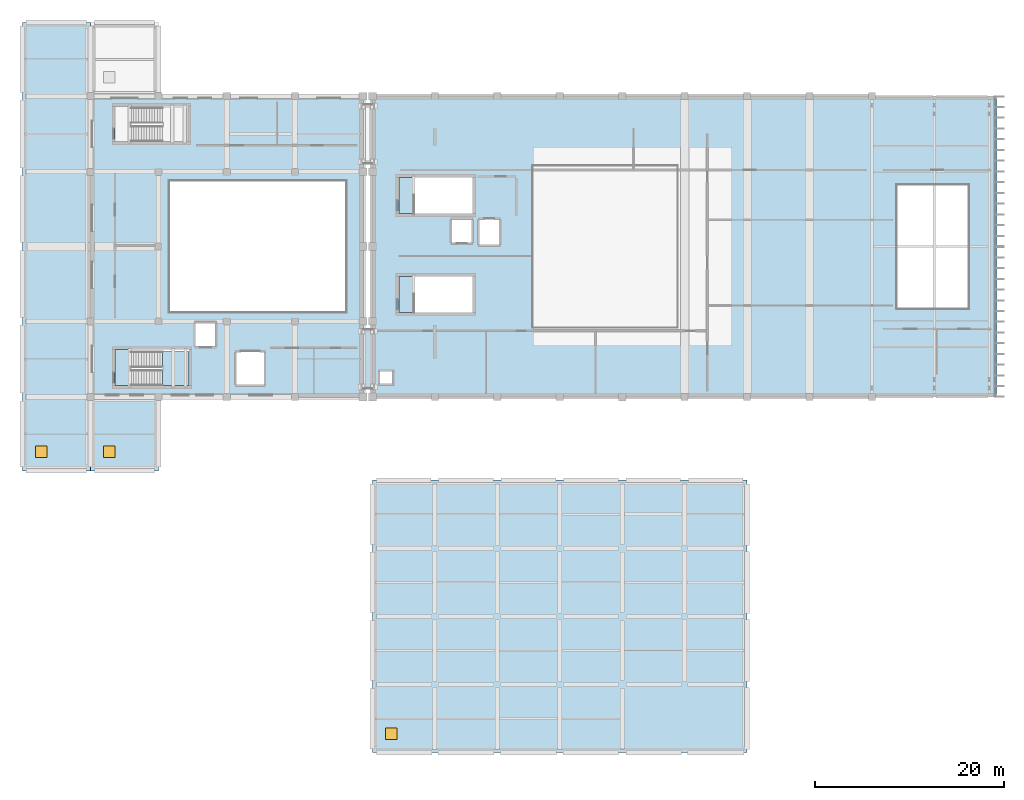
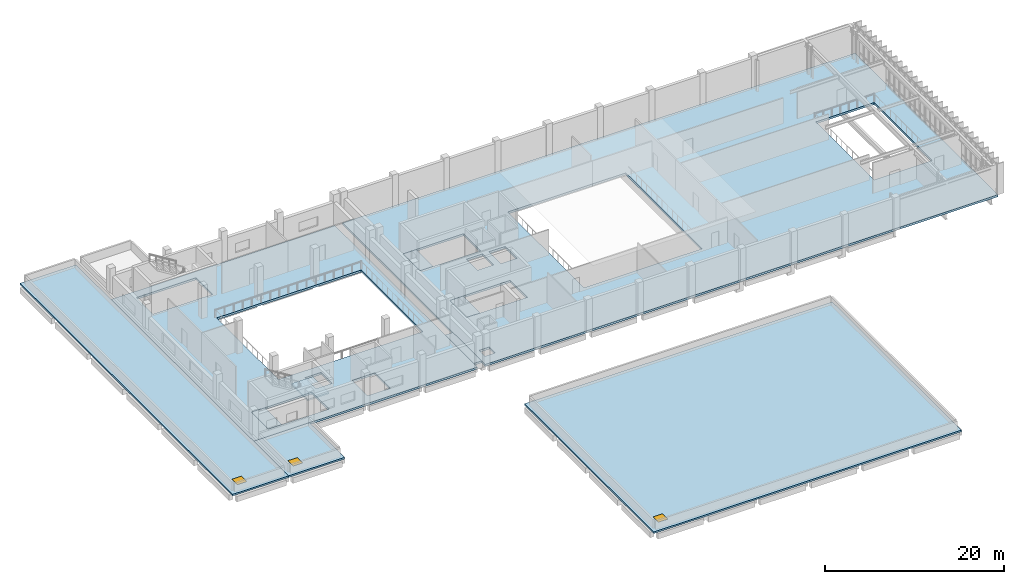
# One storey, part 9 of 23: 10 slabs, 3 windows, 3 openings, 1 element without a shape of its own.
"""IFC4 building model written with IfcOpenShell, lengths in metres."""

import ifcopenshell
import ifcopenshell.guid

model = None  # the IFC model being written
_history = None  # IfcOwnerHistory: only IFC2X3 demands one
_inside = {}  # id of a spatial element -> (the spatial element, [elements in it])
_under = {}  # id of a project, library or spatial element -> (it, [spatial elements below it])
_declared = {}  # id of a project -> (the project, [libraries it declares])
_typed = {}  # id of a type object -> (the type object, [elements of that type])
_made_of = {}  # id of a material, layer set ... -> (it, [elements and type objects made of it])


def new_model(schema):
    """Start an empty IFC model of exactly this schema.

    Asked for "IFC4X3", IfcOpenShell would pick the latest addendum, in which some entities
    have other attributes; the version numbers below select the first issue.
    IFC2X3 requires an IfcOwnerHistory on every rooted entity: one is made here for all.
    """
    global model, _history
    if schema == "IFC4X3":
        model = ifcopenshell.file(schema_version=(4, 3, 0, 0))
    else:
        model = ifcopenshell.file(schema=schema)
    _inside.clear()
    _under.clear()
    _declared.clear()
    _typed.clear()
    _made_of.clear()
    _history = None
    if model.schema == "IFC2X3":
        org = make("IfcOrganization", Name="unknown")
        user = make(
            "IfcPersonAndOrganization",
            ThePerson=make("IfcPerson", FamilyName="unknown"),
            TheOrganization=org,
        )
        app = make(
            "IfcApplication",
            ApplicationDeveloper=org,
            Version="unknown",
            ApplicationFullName="unknown",
            ApplicationIdentifier="unknown",
        )
        _history = make(
            "IfcOwnerHistory",
            OwningUser=user,
            OwningApplication=app,
            ChangeAction="ADDED",
            CreationDate=0,
        )
    return model


def make(cls, **values):
    """One entity of the class cls with the attributes given. An attribute that is None is left unset."""
    return model.create_entity(
        cls, **{name: value for name, value in values.items() if value is not None}
    )


def rooted(cls, **values):
    """An entity with a GlobalId (a new one), such as an element, a storey or a relation."""
    return make(cls, GlobalId=ifcopenshell.guid.new(), OwnerHistory=_history, **values)


def si_unit(unit_type, name, prefix=None):
    """IfcSIUnit, for example si_unit("LENGTHUNIT", "METRE", prefix="MILLI")."""
    return make("IfcSIUnit", UnitType=unit_type, Prefix=prefix, Name=name)


def assignment(units):
    """IfcUnitAssignment: the units of a project."""
    return None if units is None else make("IfcUnitAssignment", Units=units)


def point(xyz):
    """IfcCartesianPoint."""
    return None if xyz is None else make("IfcCartesianPoint", Coordinates=xyz)


def direction(xyz):
    """IfcDirection."""
    return None if xyz is None else make("IfcDirection", DirectionRatios=xyz)


def frame(location, z_axis=None, x_axis=None):
    """IfcAxis2Placement3D, a coordinate frame: its origin and axes. An axis left out is left unset."""
    return make(
        "IfcAxis2Placement3D",
        Location=point(location),
        Axis=direction(z_axis),
        RefDirection=direction(x_axis),
    )


def frame_2d(location, x_axis=None):
    """IfcAxis2Placement2D, a coordinate frame in the plane: its origin and x axis."""
    return make(
        "IfcAxis2Placement2D", Location=point(location), RefDirection=direction(x_axis)
    )


def origin():
    """The frame at (0, 0, 0) with its axes left unset."""
    return frame((0.0, 0.0, 0.0))


def origin_2d():
    """The frame at (0, 0) in the plane with its x axis left unset."""
    return frame_2d((0.0, 0.0))


def place(relative_to, where):
    """IfcLocalPlacement: puts the frame where relative to a parent placement (None: the world)."""
    return make(
        "IfcLocalPlacement", PlacementRelTo=relative_to, RelativePlacement=where
    )


def context(
    kind, dimensions, precision=None, world=None, true_north=None, identifier=None
):
    """IfcGeometricRepresentationContext, for example the 3D "Model" context."""
    return make(
        "IfcGeometricRepresentationContext",
        ContextIdentifier=identifier,
        ContextType=kind,
        CoordinateSpaceDimension=dimensions,
        Precision=precision,
        WorldCoordinateSystem=world,
        TrueNorth=true_north,
    )


def subcontext(parent, identifier, kind, view, scale=None):
    """IfcGeometricRepresentationSubContext, for example "Body" below "Model"."""
    return make(
        "IfcGeometricRepresentationSubContext",
        ContextIdentifier=identifier,
        ContextType=kind,
        ParentContext=parent,
        TargetScale=scale,
        TargetView=view,
    )


def project(units=None, contexts=None):
    """IfcProject with its units and contexts."""
    return rooted(
        "IfcProject",
        Name="project",
        RepresentationContexts=contexts,
        UnitsInContext=assignment(units),
    )


def spatial(cls, under=None, at=None, **own):
    """A site, building, storey or space (cls), placed at a placement, below another one or the project."""
    s = rooted(cls, ObjectPlacement=at, **own)
    if under is not None:
        _under.setdefault(under.id(), (under, []))[1].append(s)
    return s


def polyline(points):
    """IfcPolyline through the points."""
    return make("IfcPolyline", Points=[point(p) for p in points])


def profile(cls, at=None, kind="AREA", **sizes):
    """A parametric profile (cls). Its sizes go by their IFC names, for example OverallWidth=200.0."""
    return make(cls, ProfileType=kind, Position=at, **sizes)


def rectangle(**sizes):
    """IfcRectangleProfileDef."""
    return profile("IfcRectangleProfileDef", **sizes)


def outline(outer, holes=None, kind="AREA"):
    """IfcArbitraryClosedProfileDef: a profile drawn as a closed curve; with holes, ...WithVoids."""
    if holes is None:
        return make("IfcArbitraryClosedProfileDef", ProfileType=kind, OuterCurve=outer)
    return make(
        "IfcArbitraryProfileDefWithVoids",
        ProfileType=kind,
        OuterCurve=outer,
        InnerCurves=holes,
    )


def extrude(swept, where, along, depth):
    """IfcExtrudedAreaSolid: the profile swept, set in the frame where, extruded along a direction by depth."""
    return make(
        "IfcExtrudedAreaSolid",
        SweptArea=swept,
        Position=where,
        ExtrudedDirection=direction(along),
        Depth=depth,
    )


def shape(context_of_items, identifier, shape_type, items):
    """IfcShapeRepresentation: the items that make up one representation, for example the "Body"."""
    return make(
        "IfcShapeRepresentation",
        ContextOfItems=context_of_items,
        RepresentationIdentifier=identifier,
        RepresentationType=shape_type,
        Items=items,
    )


def material(Name=None, Category=None):
    """IfcMaterial."""
    return make("IfcMaterial", Name=Name, Category=Category)


def layer(
    of_material, thickness, ventilated=None, Name=None, Category=None, Priority=None
):
    """IfcMaterialLayer: one layer of a wall or slab, of a material (None: an air gap)."""
    return make(
        "IfcMaterialLayer",
        Material=of_material,
        LayerThickness=thickness,
        IsVentilated=ventilated,
        Name=Name,
        Category=Category,
        Priority=Priority,
    )


def layer_set(layers, Name=None):
    """IfcMaterialLayerSet."""
    return make("IfcMaterialLayerSet", MaterialLayers=layers, LayerSetName=Name)


def made_of(thing, what):
    """Note that an element or type object is made of a material, layer set ...; save() writes the relation."""
    if what is not None:
        _made_of.setdefault(what.id(), (what, []))[1].append(thing)
    return thing


def type_object(cls, material=None, **own):
    """A type object (cls), such as IfcWallType, which elements share."""
    return made_of(rooted(cls, **own), material)


def element(
    cls,
    number,
    at=None,
    inside=None,
    cuts=None,
    type_object=None,
    material=None,
    context=None,
    identifier="Body",
    shape_type=None,
    held_by="IfcProductDefinitionShape",
    body=None,
    shapes=None,
    **own,
):
    """One element of the class cls, such as IfcWall. Its Tag is "e" and its number.

    at: its placement. inside: the storey or other place that contains it. cuts: it is an
    opening in that element (IfcRelVoidsElement). A single representation is given by context,
    identifier, shape_type and body (its items); several are given by shapes. held_by: the class
    of the entity that holds the representations. save() writes the other relations.
    """
    e = rooted(cls, Tag="e%d" % number, ObjectPlacement=at, **own)
    if body is not None:
        shapes = [shape(context, identifier, shape_type, body)]
    if shapes is not None:
        e.Representation = make(held_by, Representations=shapes)
    if inside is not None:
        _inside.setdefault(inside.id(), (inside, []))[1].append(e)
    if cuts is not None:
        rooted(
            "IfcRelVoidsElement", RelatingBuildingElement=cuts, RelatedOpeningElement=e
        )
    if type_object is not None:
        _typed.setdefault(type_object.id(), (type_object, []))[1].append(e)
    return made_of(e, material)


def fill(opening, filler):
    """IfcRelFillsElement: the door or window that sits in an opening."""
    return rooted(
        "IfcRelFillsElement",
        RelatingOpeningElement=opening,
        RelatedBuildingElement=filler,
    )


def aggregate(whole, parts):
    """IfcRelAggregates: a whole, such as a stair, and the parts it consists of."""
    return rooted("IfcRelAggregates", RelatingObject=whole, RelatedObjects=parts)


def save(model, path):
    """Write the relations noted so far, then the file.

    IfcRelAggregates (storeys below a building ...), IfcRelContainedInSpatialStructure (elements
    in a storey), IfcRelDefinesByType, IfcRelAssociatesMaterial and IfcRelDeclares: one each for
    every whole, place, type object, material and project.
    """
    for whole, parts in _under.values():
        aggregate(whole, parts)
    for where, things in _inside.values():
        rooted(
            "IfcRelContainedInSpatialStructure",
            RelatedElements=things,
            RelatingStructure=where,
        )
    for kind, things in _typed.values():
        rooted("IfcRelDefinesByType", RelatedObjects=things, RelatingType=kind)
    for what, things in _made_of.values():
        rooted("IfcRelAssociatesMaterial", RelatedObjects=things, RelatingMaterial=what)
    for by, libraries in _declared.values():
        rooted("IfcRelDeclares", RelatingContext=by, RelatedDefinitions=libraries)
    model.write(path)


model = new_model("IFC4")

# Units and contexts
model_context = context("Model", 3, precision=1e-05, world=origin(), true_north=direction((0.0, 1.0)))
body_context = subcontext(model_context, "Body", "Model", "MODEL_VIEW")
ifc_project = project(units=[si_unit("LENGTHUNIT", "METRE"), si_unit("AREAUNIT", "SQUARE_METRE"), si_unit("VOLUMEUNIT", "CUBIC_METRE"), si_unit("PLANEANGLEUNIT", "RADIAN"), si_unit("MASSUNIT", "GRAM", prefix="KILO")], contexts=[model_context])

# Site, building, storey
site_placement = place(None, origin())
site = spatial("IfcSite", under=ifc_project, at=site_placement, CompositionType="ELEMENT")
building_placement = place(site_placement, origin())
building = spatial("IfcBuilding", under=site, at=building_placement, Name="Kelarvand Opera House", CompositionType="ELEMENT")
storey_placement = place(building_placement, frame((0.0, 0.0, 19.5)))
storey = spatial("IfcBuildingStorey", under=building, at=storey_placement, Name="L04", CompositionType="ELEMENT", Elevation=19.5)

# Slabs
ifc_material_1 = material(Name="Concrete C35/45", Category="concrete")
ifc_layer_1 = layer(ifc_material_1, 0.219970703125, Name="Concrete C35/45", Category="concrete")
ifc_layer_set_1 = layer_set([ifc_layer_1], Name="Concrete C35/45")
slab_type_1 = type_object("IfcSlabType", Name="Core Stair Entry Landing Slab 220", PredefinedType="LANDING", material=ifc_layer_set_1)
slab_1_placement = place(storey_placement, frame((0.0, 0.0, -0.219970703125)))
element("IfcSlab", 1, at=slab_1_placement, inside=storey, type_object=slab_type_1, Name="C1 Stair Entry Landing L04", PredefinedType="LANDING", context=body_context, shape_type="SweptSolid", body=[
    extrude(outline(polyline([(91.800048828125, 66.0), (93.52001953125, 66.0), (93.52001953125, 69.800048828125), (91.800048828125, 69.800048828125), (91.800048828125, 66.0)])), origin(), (0.0, 0.0, 1.0), 0.219970703125),
])
slab_2_placement = place(storey_placement, frame((0.0, 0.0, -0.219970703125)))
element("IfcSlab", 2, at=slab_2_placement, inside=storey, type_object=slab_type_1, Name="C2 Stair Entry Landing L04", PredefinedType="LANDING", context=body_context, shape_type="SweptSolid", body=[
    extrude(outline(polyline([(61.800048828125, 47.800048828125), (63.52001953125, 47.800048828125), (63.52001953125, 51.60009765625), (61.800048828125, 51.60009765625), (61.800048828125, 47.800048828125)])), origin(), (0.0, 0.0, 1.0), 0.219970703125),
])
slab_3_placement = place(storey_placement, frame((0.0, 0.0, -0.219970703125)))
element("IfcSlab", 3, at=slab_3_placement, inside=storey, type_object=slab_type_1, Name="C4 Stair Entry Landing L04", PredefinedType="LANDING", context=body_context, shape_type="SweptSolid", body=[
    extrude(outline(polyline([(91.800048828125, 55.550048828125), (93.52001953125, 55.550048828125), (93.52001953125, 59.35009765625), (91.800048828125, 59.35009765625), (91.800048828125, 55.550048828125)])), origin(), (0.0, 0.0, 1.0), 0.219970703125),
])

# Slab, opening, window
ifc_layer_2 = layer(ifc_material_1, 0.219970703125, Name="Concrete C35/45", Category="concrete")
ifc_layer_set_2 = layer_set([ifc_layer_2], Name="Concrete C35/45")
slab_type_2 = type_object("IfcSlabType", Name="Flat Structural Roof Slab 220", PredefinedType="ROOF", material=ifc_layer_set_2)
slab_4_placement = place(storey_placement, frame((0.0, 0.0, -0.219970703125)))
slab_4 = element("IfcSlab", 4, at=slab_4_placement, inside=storey, type_object=slab_type_2, Name="V2 Flat Roof Slab L04 1", PredefinedType="ROOF", context=body_context, shape_type="SweptSolid", body=[
    extrude(outline(polyline([(52.0, 38.800048828125), (59.199951171875, 38.800048828125), (59.199951171875, 86.199951171875), (52.0, 86.199951171875), (52.0, 38.800048828125)])), origin(), (0.0, 0.0, 1.0), 0.219970703125),
])
opening_1_placement = place(slab_4_placement, frame((54.0, 40.800048828125, 0.0)))
opening_1 = element("IfcOpeningElement", 5, at=opening_1_placement, cuts=slab_4, Name="Opening RH-01", PredefinedType="OPENING", context=body_context, shape_type="SweptSolid", body=[
    extrude(rectangle(XDim=1.199951171875, YDim=1.199951171875, at=origin_2d()), frame((0.0, 0.0, -0.010009765625)), (0.0, 0.0, 1.0), 0.239990234375),
])
ifc_material_2 = material(Name="Insulated aluminium roof access hatch", Category="aluminium")
window_type = type_object("IfcWindowType", Name="Insulated Flat-Roof Maintenance Access Hatch 1200x1200", PartitioningType="SINGLE_PANEL", PredefinedType="SKYLIGHT", material=ifc_material_2)
window_1_placement = place(opening_1_placement, frame((0.0, 0.0, 0.169921875)))
window_1 = element("IfcWindow", 6, at=window_1_placement, inside=storey, type_object=window_type, Name="V2 Maintenance Roof Hatch 4", OverallHeight=1.199951171875, OverallWidth=1.199951171875, PartitioningType="SINGLE_PANEL", PredefinedType="SKYLIGHT", context=body_context, shape_type="SweptSolid", body=[
    extrude(rectangle(XDim=1.199951171875, YDim=1.199951171875, at=origin_2d()), origin(), (0.0, 0.0, 1.0), 0.050048828125),
])
fill(opening_1, window_1)

slab_5_placement = place(storey_placement, frame((0.0, 0.0, -0.219970703125)))
slab_5 = element("IfcSlab", 7, at=slab_5_placement, inside=storey, type_object=slab_type_2, Name="V2 Flat Roof Slab L04 2", PredefinedType="ROOF", context=body_context, shape_type="SweptSolid", body=[
    extrude(outline(polyline([(59.199951171875, 38.800048828125), (66.39990234375, 38.800048828125), (66.39990234375, 46.60009765625), (59.199951171875, 46.60009765625), (59.199951171875, 38.800048828125)])), origin(), (0.0, 0.0, 1.0), 0.219970703125),
])
opening_2_placement = place(slab_5_placement, frame((61.199951171875, 40.800048828125, 0.0)))
opening_2 = element("IfcOpeningElement", 8, at=opening_2_placement, cuts=slab_5, Name="Opening RH-01", PredefinedType="OPENING", context=body_context, shape_type="SweptSolid", body=[
    extrude(rectangle(XDim=1.199951171875, YDim=1.199951171875, at=origin_2d()), frame((0.0, 0.0, -0.010009765625)), (0.0, 0.0, 1.0), 0.239990234375),
])
window_2_placement = place(opening_2_placement, frame((0.0, 0.0, 0.169921875)))
window_2 = element("IfcWindow", 9, at=window_2_placement, inside=storey, type_object=window_type, Name="V2 Maintenance Roof Hatch 5", OverallHeight=1.199951171875, OverallWidth=1.199951171875, PartitioningType="SINGLE_PANEL", PredefinedType="SKYLIGHT", context=body_context, shape_type="SweptSolid", body=[
    extrude(rectangle(XDim=1.199951171875, YDim=1.199951171875, at=origin_2d()), origin(), (0.0, 0.0, 1.0), 0.050048828125),
])
fill(opening_2, window_2)

slab_6_placement = place(storey_placement, frame((0.0, 0.0, -0.219970703125)))
slab_6 = element("IfcSlab", 10, at=slab_6_placement, inside=storey, type_object=slab_type_2, Name="V6 Flat Roof Slab L04 1", PredefinedType="ROOF", context=body_context, shape_type="SweptSolid", body=[
    extrude(outline(polyline([(89.0, 9.0), (128.60009765625, 9.0), (128.60009765625, 37.800048828125), (89.0, 37.800048828125), (89.0, 9.0)])), origin(), (0.0, 0.0, 1.0), 0.219970703125),
])
opening_3_placement = place(slab_6_placement, frame((91.0, 11.0, 0.0)))
opening_3 = element("IfcOpeningElement", 11, at=opening_3_placement, cuts=slab_6, Name="Opening RH-01", PredefinedType="OPENING", context=body_context, shape_type="SweptSolid", body=[
    extrude(rectangle(XDim=1.199951171875, YDim=1.199951171875, at=origin_2d()), frame((0.0, 0.0, -0.010009765625)), (0.0, 0.0, 1.0), 0.239990234375),
])
window_3_placement = place(opening_3_placement, frame((0.0, 0.0, 0.169921875)))
window_3 = element("IfcWindow", 12, at=window_3_placement, inside=storey, type_object=window_type, Name="V6 Maintenance Roof Hatch 15", OverallHeight=1.199951171875, OverallWidth=1.199951171875, PartitioningType="SINGLE_PANEL", PredefinedType="SKYLIGHT", context=body_context, shape_type="SweptSolid", body=[
    extrude(rectangle(XDim=1.199951171875, YDim=1.199951171875, at=origin_2d()), origin(), (0.0, 0.0, 1.0), 0.050048828125),
])
fill(opening_3, window_3)

# Slabs
ifc_layer_3 = layer(ifc_material_1, 0.280029296875, Name="Concrete C35/45", Category="concrete")
ifc_layer_set_3 = layer_set([ifc_layer_3], Name="Concrete C35/45")
slab_type_3 = type_object("IfcSlabType", Name="Gallery Floor Slab 280", PredefinedType="FLOOR", material=ifc_layer_set_3)
slab_7_placement = place(storey_placement, frame((0.0, 0.0, -0.280029296875)))
element("IfcSlab", 13, at=slab_7_placement, inside=storey, type_object=slab_type_3, Name="V1 L04 Structural Slab 7", PredefinedType="FLOOR", context=body_context, shape_type="SweptSolid", body=[
    extrude(outline(polyline([(155.0, 46.60009765625), (155.0, 78.39990234375), (89.0, 78.39990234375), (89.0, 46.60009765625), (155.0, 46.60009765625)]), holes=[polyline([(89.800048828125, 49.300048828125), (91.10009765625, 49.300048828125), (91.10009765625, 48.0), (89.800048828125, 48.0), (89.800048828125, 49.300048828125)]), polyline([(99.60009765625, 59.35009765625), (99.60009765625, 55.550048828125), (91.800048828125, 55.550048828125), (91.800048828125, 59.35009765625), (99.60009765625, 59.35009765625)]), polyline([(121.199951171875, 71.0), (121.199951171875, 54.0), (106.0, 54.0), (106.0, 71.0), (121.199951171875, 71.0)]), polyline([(152.0, 69.0), (152.0, 56.0), (144.5, 56.0), (144.5, 69.0), (152.0, 69.0)]), polyline([(102.39990234375, 65.35009765625), (102.39990234375, 62.699951171875), (100.300048828125, 62.699951171875), (100.300048828125, 65.35009765625), (102.39990234375, 65.35009765625)]), polyline([(99.5, 65.35009765625), (99.5, 62.89990234375), (97.39990234375, 62.89990234375), (97.39990234375, 65.35009765625), (99.5, 65.35009765625)]), polyline([(99.60009765625, 69.800048828125), (99.60009765625, 66.0), (91.800048828125, 66.0), (91.800048828125, 69.800048828125), (99.60009765625, 69.800048828125)])]), origin(), (0.0, 0.0, 1.0), 0.280029296875),
])
slab_8_placement = place(storey_placement, frame((0.0, 0.0, -0.280029296875)))
element("IfcSlab", 14, at=slab_8_placement, inside=storey, type_object=slab_type_3, Name="V2 L04 Structural Slab 15", PredefinedType="FLOOR", context=body_context, shape_type="SweptSolid", body=[
    extrude(outline(polyline([(88.0, 46.60009765625), (88.0, 78.39990234375), (59.199951171875, 78.39990234375), (59.199951171875, 46.60009765625), (88.0, 46.60009765625)]), holes=[polyline([(74.60009765625, 51.35009765625), (77.550048828125, 51.35009765625), (77.550048828125, 47.89990234375), (74.60009765625, 47.89990234375), (74.60009765625, 51.35009765625)]), polyline([(61.800048828125, 51.60009765625), (69.60009765625, 51.60009765625), (69.60009765625, 47.800048828125), (61.800048828125, 47.800048828125), (61.800048828125, 51.60009765625)]), polyline([(70.300048828125, 54.39990234375), (72.39990234375, 54.39990234375), (72.39990234375, 51.949951171875), (70.300048828125, 51.949951171875), (70.300048828125, 54.39990234375)]), polyline([(86.199951171875, 69.39990234375), (86.199951171875, 55.60009765625), (67.60009765625, 55.60009765625), (67.60009765625, 69.39990234375), (86.199951171875, 69.39990234375)]), polyline([(69.5, 77.300048828125), (69.5, 73.60009765625), (61.800048828125, 73.60009765625), (61.800048828125, 77.300048828125), (69.5, 77.300048828125)])]), origin(), (0.0, 0.0, 1.0), 0.280029296875),
])

# Stair, slab
stair_type = type_object("IfcStairType", Name="Dogleg Concrete Exit Stair 1660mm 26R STA-03", PredefinedType="HALF_TURN_STAIR", material=ifc_material_1)
stair_placement = place(storey_placement, origin())
stair = element("IfcStair", 15, at=stair_placement, inside=storey, type_object=stair_type, Name="L04 Stage House South Firefighting and Goods Core C2 Stair ST-02", PredefinedType="HALF_TURN_STAIR")
ifc_layer_4 = layer(ifc_material_1, 0.199951171875, Name="Concrete C35/45", Category="concrete")
ifc_layer_set_4 = layer_set([ifc_layer_4], Name="Concrete C35/45")
slab_type_4 = type_object("IfcSlabType", Name="Precast Stair Half-Landing Slab 200", PredefinedType="LANDING", material=ifc_layer_set_4)
slab_9_placement = place(storey_placement, frame((0.0, 0.0, 2.050048828125)))
slab_9 = element("IfcSlab", 16, at=slab_9_placement, type_object=slab_type_4, Name="ST-02 landing 1", PredefinedType="LANDING", context=body_context, shape_type="SweptSolid", body=[
    extrude(outline(polyline([(66.820068359375, 47.800048828125), (69.60009765625, 47.800048828125), (69.60009765625, 51.39990234375), (66.820068359375, 51.39990234375), (66.820068359375, 47.800048828125)])), origin(), (0.0, 0.0, 1.0), 0.199951171875),
])
aggregate(stair, [slab_9])

# Slab
ifc_layer_5 = layer(ifc_material_1, 0.260009765625, Name="Concrete C35/45", Category="concrete")
ifc_layer_set_5 = layer_set([ifc_layer_5], Name="Concrete C35/45")
slab_type_5 = type_object("IfcSlabType", Name="Seismic Bridge Deck Slab 260", PredefinedType="FLOOR", material=ifc_layer_set_5)
slab_10_placement = place(storey_placement, frame((0.0, 0.0, -0.260009765625)))
element("IfcSlab", 17, at=slab_10_placement, inside=storey, type_object=slab_type_5, Name="Seismic Joint Sliding Bridge BR-JP-S L04", PredefinedType="FLOOR", context=body_context, shape_type="SweptSolid", body=[
    extrude(outline(polyline([(88.0, 47.39990234375), (89.0, 47.39990234375), (89.0, 53.800048828125), (88.0, 53.800048828125), (88.0, 47.39990234375)])), origin(), (0.0, 0.0, 1.0), 0.260009765625),
])

save(model, "model.ifc")
